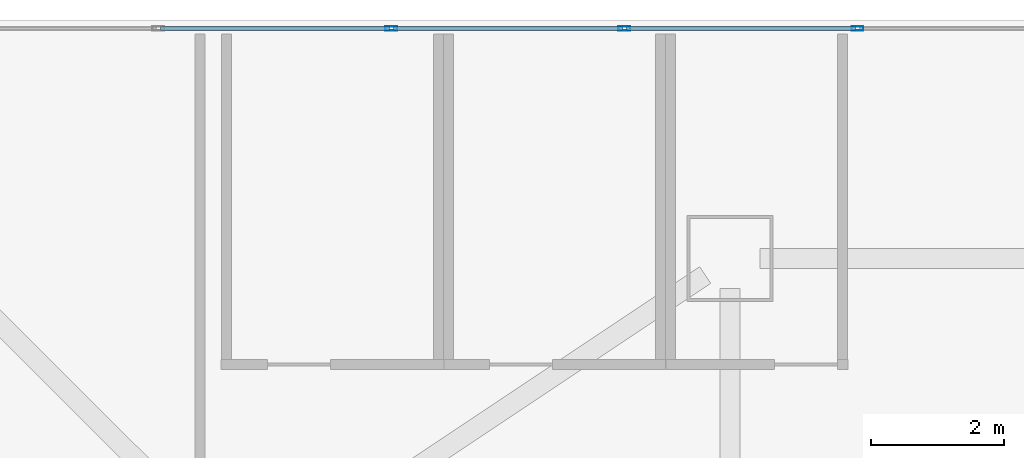
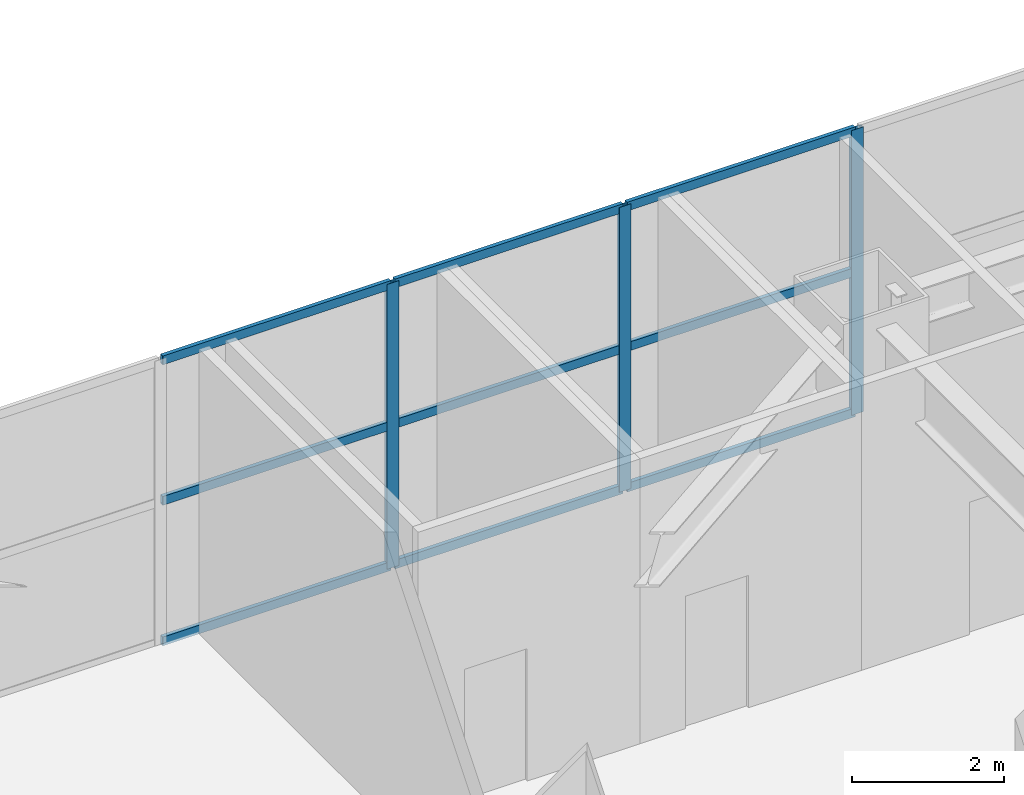
# One storey, part 13 of 31: 12 members, 1 element without a shape of its own.
"""IFC4 building model written with IfcOpenShell, lengths in metres."""

from ifc_helpers import new_model, si_unit, direction, frame, origin, origin_2d, place, context, subcontext, project, spatial, hollow_rectangle, extrude, material, layer, layer_set, material_profile, profile_set, type_object, element, aggregate, save


model = new_model("IFC4")

# Units and contexts
model_context = context("Model", 3, precision=1e-05, world=origin(), true_north=direction((0.0, 1.0)))
body_context = subcontext(model_context, "Body", "Model", "MODEL_VIEW")
ifc_project = project(units=[si_unit("LENGTHUNIT", "METRE"), si_unit("AREAUNIT", "SQUARE_METRE"), si_unit("VOLUMEUNIT", "CUBIC_METRE"), si_unit("PLANEANGLEUNIT", "RADIAN"), si_unit("MASSUNIT", "GRAM", prefix="KILO")], contexts=[model_context])

# Site, building, storey
site_placement = place(None, origin())
site = spatial("IfcSite", under=ifc_project, at=site_placement, CompositionType="ELEMENT")
building_placement = place(site_placement, origin())
building = spatial("IfcBuilding", under=site, at=building_placement, Name="Haolan Belvedere Tower", CompositionType="ELEMENT")
storey_placement = place(building_placement, frame((0.0, 0.0, 5.39990234375)))
storey = spatial("IfcBuildingStorey", under=building, at=storey_placement, Name="L01", CompositionType="ELEMENT", Elevation=5.39990234375)

# Curtain wall, members
ifc_material_1 = material(Name="Anodised champagne-silver aluminium 6063-T6 and Low-E glass", Category="aluminium")
ifc_layer = layer(ifc_material_1, 0.179931640625, Name="Anodised champagne-silver aluminium 6063-T6 and Low-E glass")
ifc_layer_set = layer_set([ifc_layer], Name="Anodised champagne-silver aluminium 6063-T6 and Low-E glass")
curtain_wall_type = type_object("IfcCurtainWallType", Name="CW-SYS-01", PredefinedType="NOTDEFINED", material=ifc_layer_set)
curtain_wall_placement = place(storey_placement, origin())
curtain_wall = element("IfcCurtainWall", 1, at=curtain_wall_placement, inside=storey, type_object=curtain_wall_type, Name="L01 CW-SYS-01 ribbon curtain wall 3.1", PredefinedType="NOTDEFINED")
ifc_material_2 = material(Name="Anodised aluminium 6063-T6", Category="aluminium")
ifc_material_profile_1 = material_profile(ifc_material_2, hollow_rectangle(XDim=0.06494140625, YDim=0.179931640625, WallThickness=0.00390625, at=origin_2d()), Name="Anodised aluminium 6063-T6")
ifc_profile_set_1 = profile_set([ifc_material_profile_1], Name="Anodised aluminium 6063-T6")
member_type_1 = type_object("IfcMemberType", Name="CW-SYS-01-MUL", PredefinedType="MULLION", material=ifc_profile_set_1)
member_1_placement = place(storey_placement, frame((33.124267578125, 53.8701171875, 0.0), z_axis=(0.0, 0.0, 1.0), x_axis=(0.0, -1.0, 0.0)))
member_1 = element("IfcMember", 2, at=member_1_placement, type_object=member_type_1, Name="CW-01 mullion 13", PredefinedType="MULLION", context=body_context, shape_type="SweptSolid", body=[
    extrude(hollow_rectangle(XDim=0.06494140625, YDim=0.179931640625, WallThickness=0.00390625, at=origin_2d()), origin(), (0.0, 0.0, 1.0), 4.56005859375),
])
member_2_placement = place(storey_placement, frame((29.607177734375, 53.8701171875, 0.0), z_axis=(0.0, 0.0, 1.0), x_axis=(0.0, -1.0, 0.0)))
member_2 = element("IfcMember", 3, at=member_2_placement, type_object=member_type_1, Name="CW-01 mullion 14", PredefinedType="MULLION", context=body_context, shape_type="SweptSolid", body=[
    extrude(hollow_rectangle(XDim=0.06494140625, YDim=0.179931640625, WallThickness=0.00390625, at=origin_2d()), origin(), (0.0, 0.0, 1.0), 4.56005859375),
])
member_3_placement = place(storey_placement, frame((26.090087890625, 53.8701171875, 0.0), z_axis=(0.0, 0.0, 1.0), x_axis=(0.0, -1.0, 0.0)))
member_3 = element("IfcMember", 4, at=member_3_placement, type_object=member_type_1, Name="CW-01 mullion 15", PredefinedType="MULLION", context=body_context, shape_type="SweptSolid", body=[
    extrude(hollow_rectangle(XDim=0.06494140625, YDim=0.179931640625, WallThickness=0.00390625, at=origin_2d()), origin(), (0.0, 0.0, 1.0), 4.56005859375),
])
ifc_material_profile_2 = material_profile(ifc_material_2, hollow_rectangle(XDim=0.06005859375, YDim=0.139892578125, WallThickness=0.00390625, at=origin_2d()), Name="Anodised aluminium 6063-T6")
ifc_profile_set_2 = profile_set([ifc_material_profile_2], Name="Anodised aluminium 6063-T6")
member_type_2 = type_object("IfcMemberType", Name="CW-SYS-01-TRN", PredefinedType="USERDEFINED", material=ifc_profile_set_2)
member_4_placement = place(storey_placement, frame((33.091796875, 53.8701171875, 0.030029296875), z_axis=(-1.0, 0.0, 0.0), x_axis=(0.0, -1.0, 0.0)))
member_4 = element("IfcMember", 5, at=member_4_placement, type_object=member_type_2, Name="CW-01 transom 13.1", ObjectType="TRANSOM", PredefinedType="USERDEFINED", context=body_context, shape_type="SweptSolid", body=[
    extrude(hollow_rectangle(XDim=0.06005859375, YDim=0.139892578125, WallThickness=0.00390625, at=origin_2d()), origin(), (0.0, 0.0, 1.0), 3.4521484375),
])
member_5_placement = place(storey_placement, frame((33.091796875, 53.8701171875, 2.280029296875), z_axis=(-1.0, 0.0, 0.0), x_axis=(0.0, -1.0, 0.0)))
member_5 = element("IfcMember", 6, at=member_5_placement, type_object=member_type_2, Name="CW-01 transom 13.2", ObjectType="TRANSOM", PredefinedType="USERDEFINED", context=body_context, shape_type="SweptSolid", body=[
    extrude(hollow_rectangle(XDim=0.06005859375, YDim=0.139892578125, WallThickness=0.00390625, at=origin_2d()), origin(), (0.0, 0.0, 1.0), 3.4521484375),
])
member_6_placement = place(storey_placement, frame((33.091796875, 53.8701171875, 4.530029296875), z_axis=(-1.0, 0.0, 0.0), x_axis=(0.0, -1.0, 0.0)))
member_6 = element("IfcMember", 7, at=member_6_placement, type_object=member_type_2, Name="CW-01 transom 13.3", ObjectType="TRANSOM", PredefinedType="USERDEFINED", context=body_context, shape_type="SweptSolid", body=[
    extrude(hollow_rectangle(XDim=0.06005859375, YDim=0.139892578125, WallThickness=0.00390625, at=origin_2d()), origin(), (0.0, 0.0, 1.0), 3.4521484375),
])
member_7_placement = place(storey_placement, frame((29.57470703125, 53.8701171875, 0.030029296875), z_axis=(-1.0, 0.0, 0.0), x_axis=(0.0, -1.0, 0.0)))
member_7 = element("IfcMember", 8, at=member_7_placement, type_object=member_type_2, Name="CW-01 transom 14.1", ObjectType="TRANSOM", PredefinedType="USERDEFINED", context=body_context, shape_type="SweptSolid", body=[
    extrude(hollow_rectangle(XDim=0.06005859375, YDim=0.139892578125, WallThickness=0.00390625, at=origin_2d()), origin(), (0.0, 0.0, 1.0), 3.4521484375),
])
member_8_placement = place(storey_placement, frame((29.57470703125, 53.8701171875, 2.280029296875), z_axis=(-1.0, 0.0, 0.0), x_axis=(0.0, -1.0, 0.0)))
member_8 = element("IfcMember", 9, at=member_8_placement, type_object=member_type_2, Name="CW-01 transom 14.2", ObjectType="TRANSOM", PredefinedType="USERDEFINED", context=body_context, shape_type="SweptSolid", body=[
    extrude(hollow_rectangle(XDim=0.06005859375, YDim=0.139892578125, WallThickness=0.00390625, at=origin_2d()), origin(), (0.0, 0.0, 1.0), 3.4521484375),
])
member_9_placement = place(storey_placement, frame((29.57470703125, 53.8701171875, 4.530029296875), z_axis=(-1.0, 0.0, 0.0), x_axis=(0.0, -1.0, 0.0)))
member_9 = element("IfcMember", 10, at=member_9_placement, type_object=member_type_2, Name="CW-01 transom 14.3", ObjectType="TRANSOM", PredefinedType="USERDEFINED", context=body_context, shape_type="SweptSolid", body=[
    extrude(hollow_rectangle(XDim=0.06005859375, YDim=0.139892578125, WallThickness=0.00390625, at=origin_2d()), origin(), (0.0, 0.0, 1.0), 3.4521484375),
])
member_10_placement = place(storey_placement, frame((26.0576171875, 53.8701171875, 0.030029296875), z_axis=(-1.0, 0.0, 0.0), x_axis=(0.0, -1.0, 0.0)))
member_10 = element("IfcMember", 11, at=member_10_placement, type_object=member_type_2, Name="CW-01 transom 15.1", ObjectType="TRANSOM", PredefinedType="USERDEFINED", context=body_context, shape_type="SweptSolid", body=[
    extrude(hollow_rectangle(XDim=0.06005859375, YDim=0.139892578125, WallThickness=0.00390625, at=origin_2d()), origin(), (0.0, 0.0, 1.0), 3.4521484375),
])
member_11_placement = place(storey_placement, frame((26.0576171875, 53.8701171875, 2.280029296875), z_axis=(-1.0, 0.0, 0.0), x_axis=(0.0, -1.0, 0.0)))
member_11 = element("IfcMember", 12, at=member_11_placement, type_object=member_type_2, Name="CW-01 transom 15.2", ObjectType="TRANSOM", PredefinedType="USERDEFINED", context=body_context, shape_type="SweptSolid", body=[
    extrude(hollow_rectangle(XDim=0.06005859375, YDim=0.139892578125, WallThickness=0.00390625, at=origin_2d()), origin(), (0.0, 0.0, 1.0), 3.4521484375),
])
member_12_placement = place(storey_placement, frame((26.0576171875, 53.8701171875, 4.530029296875), z_axis=(-1.0, 0.0, 0.0), x_axis=(0.0, -1.0, 0.0)))
member_12 = element("IfcMember", 13, at=member_12_placement, type_object=member_type_2, Name="CW-01 transom 15.3", ObjectType="TRANSOM", PredefinedType="USERDEFINED", context=body_context, shape_type="SweptSolid", body=[
    extrude(hollow_rectangle(XDim=0.06005859375, YDim=0.139892578125, WallThickness=0.00390625, at=origin_2d()), origin(), (0.0, 0.0, 1.0), 3.4521484375),
])
aggregate(curtain_wall, [member_1, member_2, member_3, member_4, member_5, member_6, member_7, member_8, member_9, member_10, member_11, member_12])

save(model, "model.ifc")
